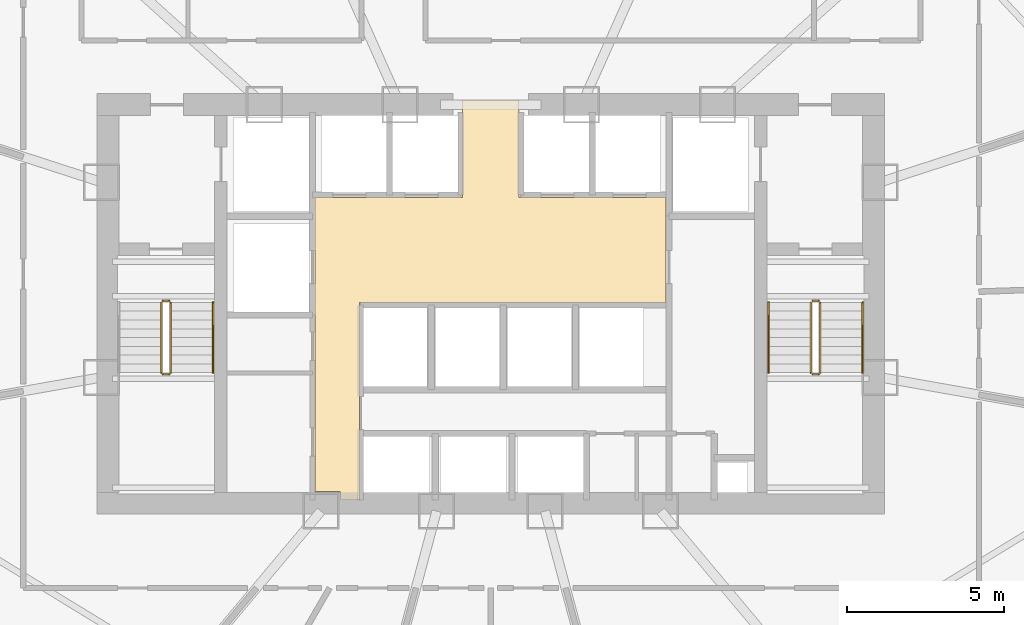
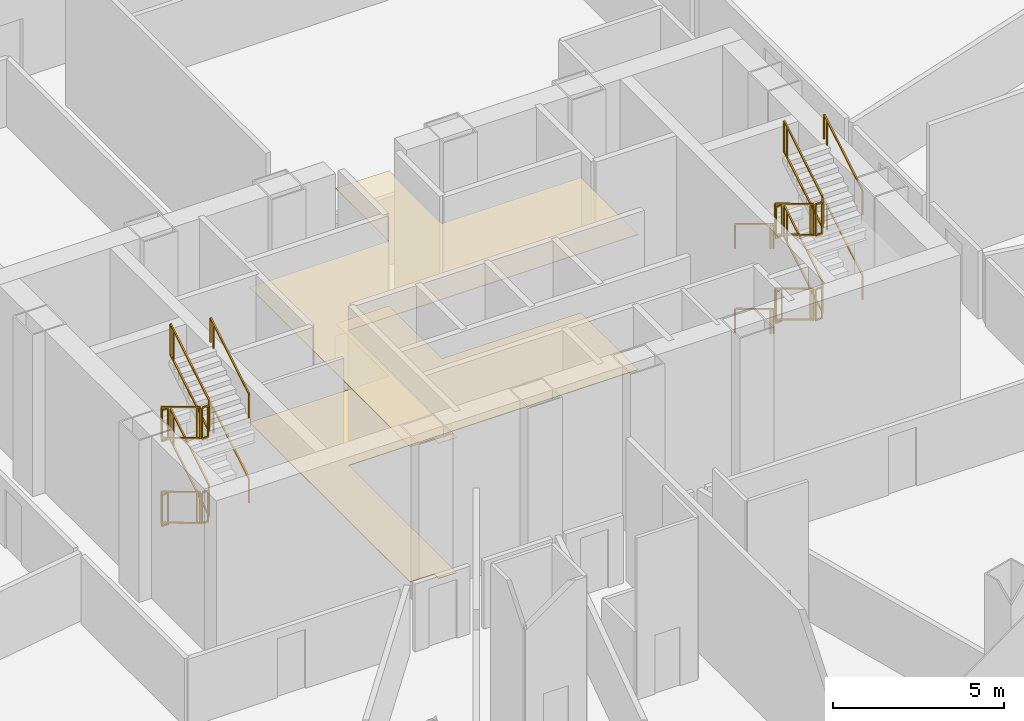
# One storey, part 39 of 41: 22 railings, 2 coverings.
"""IFC4 building model written with IfcOpenShell, lengths in metres."""

from ifc_helpers import new_model, si_unit, direction, frame, origin, origin_2d, place, context, subcontext, project, spatial, polyline, rectangle, outline, extrude, material, layer, layer_set, type_object, element, save


model = new_model("IFC4")

# Units and contexts
model_context = context("Model", 3, precision=1e-05, world=origin(), true_north=direction((0.0, 1.0)))
body_context = subcontext(model_context, "Body", "Model", "MODEL_VIEW")
ifc_project = project(units=[si_unit("LENGTHUNIT", "METRE"), si_unit("AREAUNIT", "SQUARE_METRE"), si_unit("VOLUMEUNIT", "CUBIC_METRE"), si_unit("PLANEANGLEUNIT", "RADIAN"), si_unit("MASSUNIT", "GRAM", prefix="KILO"), si_unit("THERMODYNAMICTEMPERATUREUNIT", "KELVIN"), si_unit("POWERUNIT", "WATT")], contexts=[model_context])

# Site, building, storey
site_placement = place(None, origin())
site = spatial("IfcSite", under=ifc_project, at=site_placement, CompositionType="ELEMENT")
building_placement = place(site_placement, origin())
building = spatial("IfcBuilding", under=site, at=building_placement, Name="Yunzhuo Pagoda Commons", CompositionType="ELEMENT")
storey_placement = place(building_placement, frame((0.0, 0.0, 70.330078125)))
storey = spatial("IfcBuildingStorey", under=building, at=storey_placement, Name="L18", CompositionType="ELEMENT", Elevation=70.330078125)

# Coverings
ifc_material_1 = material(Name="Mineral fibre acoustic ceiling board")
ifc_layer_1 = layer(ifc_material_1, 0.02490234375)
ifc_layer_set_1 = layer_set([ifc_layer_1], Name="Mineral fibre acoustic ceiling board")
covering_type_1 = type_object("IfcCoveringType", Name="COV-CL1 Ceiling 25", PredefinedType="CEILING", material=ifc_layer_set_1)
covering_1_placement = place(storey_placement, frame((0.0, 0.0, 4.81982421875)))
element("IfcCovering", 1, at=covering_1_placement, inside=storey, type_object=covering_type_1, Name="L18 lift lobby acoustic ceiling", PredefinedType="CEILING", context=body_context, shape_type="SweptSolid", body=[
    extrude(outline(polyline([(43.207763671875, 27.85009765625), (43.201904296875, 27.864013671875), (43.187744140625, 27.8701171875), (42.39990234375, 27.8701171875), (42.39990234375, 33.89990234375), (42.39990234375, 37.25), (47.10009765625, 37.25), (47.10009765625, 40.35009765625), (48.89990234375, 40.35009765625), (48.89990234375, 37.25), (53.580078125, 37.25), (53.580078125, 33.89990234375), (43.820068359375, 33.89990234375), (43.820068359375, 27.60009765625), (43.207763671875, 27.60009765625), (43.207763671875, 27.85009765625)])), origin(), (0.0, 0.0, 1.0), 0.025146484375),
])
ifc_material_2 = material(Name="Porcelain ceramic floor tile")
ifc_layer_2 = layer(ifc_material_2, 0.02001953125)
ifc_layer_set_2 = layer_set([ifc_layer_2], Name="Porcelain ceramic floor tile")
covering_type_2 = type_object("IfcCoveringType", Name="COV-FL1 Flooring 20", PredefinedType="FLOORING", material=ifc_layer_set_2)
covering_2_placement = place(storey_placement, origin())
element("IfcCovering", 2, at=covering_2_placement, inside=storey, type_object=covering_type_2, Name="L18 lift lobby flooring", PredefinedType="FLOORING", context=body_context, shape_type="SweptSolid", body=[
    extrude(outline(polyline([(43.207763671875, 27.85009765625), (43.201904296875, 27.864013671875), (43.187744140625, 27.8701171875), (42.39990234375, 27.8701171875), (42.39990234375, 33.89990234375), (42.39990234375, 37.25), (47.10009765625, 37.25), (47.10009765625, 40.35009765625), (48.89990234375, 40.35009765625), (48.89990234375, 37.25), (53.580078125, 37.25), (53.580078125, 33.89990234375), (43.820068359375, 33.89990234375), (43.820068359375, 27.60009765625), (43.207763671875, 27.60009765625), (43.207763671875, 27.85009765625)])), origin(), (0.0, 0.0, 1.0), 0.02001953125),
])

# Railings
ifc_material_3 = material(Name="Anodized aluminium 6063-T6", Category="aluminium")
railing_type_1 = type_object("IfcRailingType", Name="GR-ST1 Stair Well Guardrail 1150", PredefinedType="GUARDRAIL", material=ifc_material_3)
railing_1_placement = place(storey_placement, frame((37.5, 33.89990234375, 0.16796875)))
element("IfcRailing", 3, at=railing_1_placement, inside=storey, type_object=railing_type_1, Name="L18 ST1 stair guard 1", PredefinedType="GUARDRAIL", context=body_context, shape_type="SweptSolid", body=[
    extrude(rectangle(XDim=0.048095703125, YDim=0.048095703125, at=origin_2d()), frame((0.0, 0.0, 1.1259765625), z_axis=(0.0, -0.857410458173, 0.514633176366), x_axis=(1.0, 0.0, 0.0)), (0.0, 0.0, 1.0), 2.612548828125),
    extrude(rectangle(XDim=0.048095703125, YDim=0.048095703125, at=origin_2d()), frame((0.0, 0.0, 0.02392578125), z_axis=(0.0, -0.857410458173, 0.514633176366), x_axis=(1.0, 0.0, 0.0)), (0.0, 0.0, 1.0), 2.612548828125),
    extrude(rectangle(XDim=0.0419921875, YDim=0.0419921875, at=origin_2d()), origin(), (0.0, 0.0, 1.0), 1.101806640625),
    extrude(rectangle(XDim=0.0419921875, YDim=0.0419921875, at=origin_2d()), frame((0.0, -2.057861328125, 1.235107421875)), (0.0, 0.0, 1.0), 1.101806640625),
    extrude(rectangle(XDim=0.0419921875, YDim=0.0419921875, at=origin_2d()), frame((0.0, -2.239990234375, 1.344482421875)), (0.0, 0.0, 1.0), 1.101806640625),
])
railing_2_placement = place(storey_placement, frame((37.550048828125, 31.610107421875, 1.512451171875)))
element("IfcRailing", 4, at=railing_2_placement, inside=storey, type_object=railing_type_1, Name="L18 ST1 stair guard 2", PredefinedType="GUARDRAIL", context=body_context, shape_type="SweptSolid", body=[
    extrude(rectangle(XDim=0.048095703125, YDim=0.048095703125, at=origin_2d()), frame((0.0, 0.0, 1.1259765625), z_axis=(1.0, 0.0, 0.0), x_axis=(0.0, 1.0, 0.0)), (0.0, 0.0, 1.0), 0.199951171875),
    extrude(rectangle(XDim=0.048095703125, YDim=0.048095703125, at=origin_2d()), frame((0.0, 0.0, 0.02392578125), z_axis=(1.0, 0.0, 0.0), x_axis=(0.0, 1.0, 0.0)), (0.0, 0.0, 1.0), 0.199951171875),
    extrude(rectangle(XDim=0.0419921875, YDim=0.0419921875, at=origin_2d()), origin(), (0.0, 0.0, 1.0), 1.101806640625),
    extrude(rectangle(XDim=0.0419921875, YDim=0.0419921875, at=origin_2d()), frame((0.199951171875, 0.0, 0.0)), (0.0, 0.0, 1.0), 1.101806640625),
])
railing_3_placement = place(storey_placement, frame((37.800048828125, 31.659912109375, 1.680419921875)))
element("IfcRailing", 5, at=railing_3_placement, inside=storey, type_object=railing_type_1, Name="L18 ST1 stair guard 3", PredefinedType="GUARDRAIL", context=body_context, shape_type="SweptSolid", body=[
    extrude(rectangle(XDim=0.048095703125, YDim=0.048095703125, at=origin_2d()), frame((0.0, 0.0, 1.1259765625), z_axis=(0.0, 0.857410458173, 0.514633176366), x_axis=(-1.0, 0.0, 0.0)), (0.0, 0.0, 1.0), 2.612548828125),
    extrude(rectangle(XDim=0.048095703125, YDim=0.048095703125, at=origin_2d()), frame((0.0, 0.0, 0.02392578125), z_axis=(0.0, 0.857410458173, 0.514633176366), x_axis=(-1.0, 0.0, 0.0)), (0.0, 0.0, 1.0), 2.612548828125),
    extrude(rectangle(XDim=0.0419921875, YDim=0.0419921875, at=origin_2d()), origin(), (0.0, 0.0, 1.0), 1.101806640625),
    extrude(rectangle(XDim=0.0419921875, YDim=0.0419921875, at=origin_2d()), frame((0.0, 2.057861328125, 1.235107421875)), (0.0, 0.0, 1.0), 1.101806640625),
    extrude(rectangle(XDim=0.0419921875, YDim=0.0419921875, at=origin_2d()), frame((0.0, 2.239990234375, 1.344482421875)), (0.0, 0.0, 1.0), 1.101806640625),
])
railing_4_placement = place(storey_placement, frame((37.550048828125, 33.949951171875, 3.02490234375)))
element("IfcRailing", 6, at=railing_4_placement, inside=storey, type_object=railing_type_1, Name="L18 ST1 stair guard 4", PredefinedType="GUARDRAIL", context=body_context, shape_type="SweptSolid", body=[
    extrude(rectangle(XDim=0.048095703125, YDim=0.048095703125, at=origin_2d()), frame((0.0, 0.0, 1.1259765625), z_axis=(1.0, 0.0, 0.0), x_axis=(0.0, 1.0, 0.0)), (0.0, 0.0, 1.0), 0.199951171875),
    extrude(rectangle(XDim=0.048095703125, YDim=0.048095703125, at=origin_2d()), frame((0.0, 0.0, 0.02392578125), z_axis=(1.0, 0.0, 0.0), x_axis=(0.0, 1.0, 0.0)), (0.0, 0.0, 1.0), 0.199951171875),
    extrude(rectangle(XDim=0.0419921875, YDim=0.0419921875, at=origin_2d()), origin(), (0.0, 0.0, 1.0), 1.101806640625),
    extrude(rectangle(XDim=0.0419921875, YDim=0.0419921875, at=origin_2d()), frame((0.199951171875, 0.0, 0.0)), (0.0, 0.0, 1.0), 1.101806640625),
])
railing_5_placement = place(storey_placement, frame((37.5, 33.89990234375, 3.19287109375)))
element("IfcRailing", 7, at=railing_5_placement, inside=storey, type_object=railing_type_1, Name="L18 ST1 stair guard 5", PredefinedType="GUARDRAIL", context=body_context, shape_type="SweptSolid", body=[
    extrude(rectangle(XDim=0.048095703125, YDim=0.048095703125, at=origin_2d()), frame((0.0, 0.0, 1.1259765625), z_axis=(0.0, -0.857410458173, 0.514633176366), x_axis=(1.0, 0.0, 0.0)), (0.0, 0.0, 1.0), 2.612548828125),
    extrude(rectangle(XDim=0.048095703125, YDim=0.048095703125, at=origin_2d()), frame((0.0, 0.0, 0.02392578125), z_axis=(0.0, -0.857410458173, 0.514633176366), x_axis=(1.0, 0.0, 0.0)), (0.0, 0.0, 1.0), 2.612548828125),
    extrude(rectangle(XDim=0.0419921875, YDim=0.0419921875, at=origin_2d()), origin(), (0.0, 0.0, 1.0), 1.101806640625),
    extrude(rectangle(XDim=0.0419921875, YDim=0.0419921875, at=origin_2d()), frame((0.0, -2.057861328125, 1.235107421875)), (0.0, 0.0, 1.0), 1.101806640625),
    extrude(rectangle(XDim=0.0419921875, YDim=0.0419921875, at=origin_2d()), frame((0.0, -2.239990234375, 1.344482421875)), (0.0, 0.0, 1.0), 1.101806640625),
])
railing_6_placement = place(storey_placement, frame((37.550048828125, 31.610107421875, 4.537353515625)))
element("IfcRailing", 8, at=railing_6_placement, inside=storey, type_object=railing_type_1, Name="L18 ST1 stair guard 6", PredefinedType="GUARDRAIL", context=body_context, shape_type="SweptSolid", body=[
    extrude(rectangle(XDim=0.048095703125, YDim=0.048095703125, at=origin_2d()), frame((0.0, 0.0, 1.1259765625), z_axis=(1.0, 0.0, 0.0), x_axis=(0.0, 1.0, 0.0)), (0.0, 0.0, 1.0), 0.199951171875),
    extrude(rectangle(XDim=0.048095703125, YDim=0.048095703125, at=origin_2d()), frame((0.0, 0.0, 0.02392578125), z_axis=(1.0, 0.0, 0.0), x_axis=(0.0, 1.0, 0.0)), (0.0, 0.0, 1.0), 0.199951171875),
    extrude(rectangle(XDim=0.0419921875, YDim=0.0419921875, at=origin_2d()), origin(), (0.0, 0.0, 1.0), 1.101806640625),
    extrude(rectangle(XDim=0.0419921875, YDim=0.0419921875, at=origin_2d()), frame((0.199951171875, 0.0, 0.0)), (0.0, 0.0, 1.0), 1.101806640625),
])
railing_7_placement = place(storey_placement, frame((37.800048828125, 31.659912109375, 4.70556640625)))
element("IfcRailing", 9, at=railing_7_placement, inside=storey, type_object=railing_type_1, Name="L18 ST1 stair guard 7", PredefinedType="GUARDRAIL", context=body_context, shape_type="SweptSolid", body=[
    extrude(rectangle(XDim=0.048095703125, YDim=0.048095703125, at=origin_2d()), frame((0.0, 0.0, 1.1259765625), z_axis=(0.0, 0.857451692713, 0.514564470853), x_axis=(-1.0, 0.0, 0.0)), (0.0, 0.0, 1.0), 2.6123046875),
    extrude(rectangle(XDim=0.048095703125, YDim=0.048095703125, at=origin_2d()), frame((0.0, 0.0, 0.02392578125), z_axis=(0.0, 0.857451692713, 0.514564470853), x_axis=(-1.0, 0.0, 0.0)), (0.0, 0.0, 1.0), 2.6123046875),
    extrude(rectangle(XDim=0.0419921875, YDim=0.0419921875, at=origin_2d()), origin(), (0.0, 0.0, 1.0), 1.101806640625),
    extrude(rectangle(XDim=0.0419921875, YDim=0.0419921875, at=origin_2d()), frame((0.0, 2.057861328125, 1.23486328125)), (0.0, 0.0, 1.0), 1.101806640625),
    extrude(rectangle(XDim=0.0419921875, YDim=0.0419921875, at=origin_2d()), frame((0.0, 2.239990234375, 1.34423828125)), (0.0, 0.0, 1.0), 1.101806640625),
])
railing_8_placement = place(storey_placement, frame((37.550048828125, 33.949951171875, 0.0)))
element("IfcRailing", 10, at=railing_8_placement, inside=storey, type_object=railing_type_1, Name="L18 ST1 stair guard 8", PredefinedType="GUARDRAIL", context=body_context, shape_type="SweptSolid", body=[
    extrude(rectangle(XDim=0.048095703125, YDim=0.048095703125, at=origin_2d()), frame((0.0, 0.0, 1.1259765625), z_axis=(1.0, 0.0, 0.0), x_axis=(0.0, 1.0, 0.0)), (0.0, 0.0, 1.0), 0.199951171875),
    extrude(rectangle(XDim=0.048095703125, YDim=0.048095703125, at=origin_2d()), frame((0.0, 0.0, 0.02392578125), z_axis=(1.0, 0.0, 0.0), x_axis=(0.0, 1.0, 0.0)), (0.0, 0.0, 1.0), 0.199951171875),
    extrude(rectangle(XDim=0.0419921875, YDim=0.0419921875, at=origin_2d()), origin(), (0.0, 0.0, 1.0), 1.101806640625),
    extrude(rectangle(XDim=0.0419921875, YDim=0.0419921875, at=origin_2d()), frame((0.199951171875, 0.0, 0.0)), (0.0, 0.0, 1.0), 1.101806640625),
])
railing_type_2 = type_object("IfcRailingType", Name="GR-ST2 Stair Well Guardrail 1160", PredefinedType="GUARDRAIL", material=ifc_material_3)
railing_9_placement = place(storey_placement, frame((58.199951171875, 33.89990234375, 0.16796875)))
element("IfcRailing", 11, at=railing_9_placement, inside=storey, type_object=railing_type_2, Name="L18 ST2 stair guard 1", PredefinedType="GUARDRAIL", context=body_context, shape_type="SweptSolid", body=[
    extrude(rectangle(XDim=0.048095703125, YDim=0.048095703125, at=origin_2d()), frame((0.0, 0.0, 1.1259765625), z_axis=(0.0, -0.857410458173, 0.514633176366), x_axis=(1.0, 0.0, 0.0)), (0.0, 0.0, 1.0), 2.612548828125),
    extrude(rectangle(XDim=0.048095703125, YDim=0.048095703125, at=origin_2d()), frame((0.0, 0.0, 0.02392578125), z_axis=(0.0, -0.857410458173, 0.514633176366), x_axis=(1.0, 0.0, 0.0)), (0.0, 0.0, 1.0), 2.612548828125),
    extrude(rectangle(XDim=0.0419921875, YDim=0.0419921875, at=origin_2d()), origin(), (0.0, 0.0, 1.0), 1.101806640625),
    extrude(rectangle(XDim=0.0419921875, YDim=0.0419921875, at=origin_2d()), frame((0.0, -2.057861328125, 1.235107421875)), (0.0, 0.0, 1.0), 1.101806640625),
    extrude(rectangle(XDim=0.0419921875, YDim=0.0419921875, at=origin_2d()), frame((0.0, -2.239990234375, 1.344482421875)), (0.0, 0.0, 1.0), 1.101806640625),
])
railing_10_placement = place(storey_placement, frame((58.25, 31.610107421875, 1.512451171875)))
element("IfcRailing", 12, at=railing_10_placement, inside=storey, type_object=railing_type_2, Name="L18 ST2 stair guard 2", PredefinedType="GUARDRAIL", context=body_context, shape_type="SweptSolid", body=[
    extrude(rectangle(XDim=0.048095703125, YDim=0.048095703125, at=origin_2d()), frame((0.0, 0.0, 1.1259765625), z_axis=(1.0, 0.0, 0.0), x_axis=(0.0, 1.0, 0.0)), (0.0, 0.0, 1.0), 0.199951171875),
    extrude(rectangle(XDim=0.048095703125, YDim=0.048095703125, at=origin_2d()), frame((0.0, 0.0, 0.02392578125), z_axis=(1.0, 0.0, 0.0), x_axis=(0.0, 1.0, 0.0)), (0.0, 0.0, 1.0), 0.199951171875),
    extrude(rectangle(XDim=0.0419921875, YDim=0.0419921875, at=origin_2d()), origin(), (0.0, 0.0, 1.0), 1.101806640625),
    extrude(rectangle(XDim=0.0419921875, YDim=0.0419921875, at=origin_2d()), frame((0.199951171875, 0.0, 0.0)), (0.0, 0.0, 1.0), 1.101806640625),
])
railing_11_placement = place(storey_placement, frame((58.5, 31.659912109375, 1.680419921875)))
element("IfcRailing", 13, at=railing_11_placement, inside=storey, type_object=railing_type_2, Name="L18 ST2 stair guard 3", PredefinedType="GUARDRAIL", context=body_context, shape_type="SweptSolid", body=[
    extrude(rectangle(XDim=0.048095703125, YDim=0.048095703125, at=origin_2d()), frame((0.0, 0.0, 1.1259765625), z_axis=(0.0, 0.857410458173, 0.514633176366), x_axis=(-1.0, 0.0, 0.0)), (0.0, 0.0, 1.0), 2.612548828125),
    extrude(rectangle(XDim=0.048095703125, YDim=0.048095703125, at=origin_2d()), frame((0.0, 0.0, 0.02392578125), z_axis=(0.0, 0.857410458173, 0.514633176366), x_axis=(-1.0, 0.0, 0.0)), (0.0, 0.0, 1.0), 2.612548828125),
    extrude(rectangle(XDim=0.0419921875, YDim=0.0419921875, at=origin_2d()), origin(), (0.0, 0.0, 1.0), 1.101806640625),
    extrude(rectangle(XDim=0.0419921875, YDim=0.0419921875, at=origin_2d()), frame((0.0, 2.057861328125, 1.235107421875)), (0.0, 0.0, 1.0), 1.101806640625),
    extrude(rectangle(XDim=0.0419921875, YDim=0.0419921875, at=origin_2d()), frame((0.0, 2.239990234375, 1.344482421875)), (0.0, 0.0, 1.0), 1.101806640625),
])
railing_12_placement = place(storey_placement, frame((58.25, 33.949951171875, 3.02490234375)))
element("IfcRailing", 14, at=railing_12_placement, inside=storey, type_object=railing_type_2, Name="L18 ST2 stair guard 4", PredefinedType="GUARDRAIL", context=body_context, shape_type="SweptSolid", body=[
    extrude(rectangle(XDim=0.048095703125, YDim=0.048095703125, at=origin_2d()), frame((0.0, 0.0, 1.1259765625), z_axis=(1.0, 0.0, 0.0), x_axis=(0.0, 1.0, 0.0)), (0.0, 0.0, 1.0), 0.199951171875),
    extrude(rectangle(XDim=0.048095703125, YDim=0.048095703125, at=origin_2d()), frame((0.0, 0.0, 0.02392578125), z_axis=(1.0, 0.0, 0.0), x_axis=(0.0, 1.0, 0.0)), (0.0, 0.0, 1.0), 0.199951171875),
    extrude(rectangle(XDim=0.0419921875, YDim=0.0419921875, at=origin_2d()), origin(), (0.0, 0.0, 1.0), 1.101806640625),
    extrude(rectangle(XDim=0.0419921875, YDim=0.0419921875, at=origin_2d()), frame((0.199951171875, 0.0, 0.0)), (0.0, 0.0, 1.0), 1.101806640625),
])
railing_13_placement = place(storey_placement, frame((58.199951171875, 33.89990234375, 3.19287109375)))
element("IfcRailing", 15, at=railing_13_placement, inside=storey, type_object=railing_type_2, Name="L18 ST2 stair guard 5", PredefinedType="GUARDRAIL", context=body_context, shape_type="SweptSolid", body=[
    extrude(rectangle(XDim=0.048095703125, YDim=0.048095703125, at=origin_2d()), frame((0.0, 0.0, 1.1259765625), z_axis=(0.0, -0.857410458173, 0.514633176366), x_axis=(1.0, 0.0, 0.0)), (0.0, 0.0, 1.0), 2.612548828125),
    extrude(rectangle(XDim=0.048095703125, YDim=0.048095703125, at=origin_2d()), frame((0.0, 0.0, 0.02392578125), z_axis=(0.0, -0.857410458173, 0.514633176366), x_axis=(1.0, 0.0, 0.0)), (0.0, 0.0, 1.0), 2.612548828125),
    extrude(rectangle(XDim=0.0419921875, YDim=0.0419921875, at=origin_2d()), origin(), (0.0, 0.0, 1.0), 1.101806640625),
    extrude(rectangle(XDim=0.0419921875, YDim=0.0419921875, at=origin_2d()), frame((0.0, -2.057861328125, 1.235107421875)), (0.0, 0.0, 1.0), 1.101806640625),
    extrude(rectangle(XDim=0.0419921875, YDim=0.0419921875, at=origin_2d()), frame((0.0, -2.239990234375, 1.344482421875)), (0.0, 0.0, 1.0), 1.101806640625),
])
railing_14_placement = place(storey_placement, frame((58.25, 31.610107421875, 4.537353515625)))
element("IfcRailing", 16, at=railing_14_placement, inside=storey, type_object=railing_type_2, Name="L18 ST2 stair guard 6", PredefinedType="GUARDRAIL", context=body_context, shape_type="SweptSolid", body=[
    extrude(rectangle(XDim=0.048095703125, YDim=0.048095703125, at=origin_2d()), frame((0.0, 0.0, 1.1259765625), z_axis=(1.0, 0.0, 0.0), x_axis=(0.0, 1.0, 0.0)), (0.0, 0.0, 1.0), 0.199951171875),
    extrude(rectangle(XDim=0.048095703125, YDim=0.048095703125, at=origin_2d()), frame((0.0, 0.0, 0.02392578125), z_axis=(1.0, 0.0, 0.0), x_axis=(0.0, 1.0, 0.0)), (0.0, 0.0, 1.0), 0.199951171875),
    extrude(rectangle(XDim=0.0419921875, YDim=0.0419921875, at=origin_2d()), origin(), (0.0, 0.0, 1.0), 1.101806640625),
    extrude(rectangle(XDim=0.0419921875, YDim=0.0419921875, at=origin_2d()), frame((0.199951171875, 0.0, 0.0)), (0.0, 0.0, 1.0), 1.101806640625),
])
railing_15_placement = place(storey_placement, frame((58.5, 31.659912109375, 4.70556640625)))
element("IfcRailing", 17, at=railing_15_placement, inside=storey, type_object=railing_type_2, Name="L18 ST2 stair guard 7", PredefinedType="GUARDRAIL", context=body_context, shape_type="SweptSolid", body=[
    extrude(rectangle(XDim=0.048095703125, YDim=0.048095703125, at=origin_2d()), frame((0.0, 0.0, 1.1259765625), z_axis=(0.0, 0.857451692713, 0.514564470853), x_axis=(-1.0, 0.0, 0.0)), (0.0, 0.0, 1.0), 2.6123046875),
    extrude(rectangle(XDim=0.048095703125, YDim=0.048095703125, at=origin_2d()), frame((0.0, 0.0, 0.02392578125), z_axis=(0.0, 0.857451692713, 0.514564470853), x_axis=(-1.0, 0.0, 0.0)), (0.0, 0.0, 1.0), 2.6123046875),
    extrude(rectangle(XDim=0.0419921875, YDim=0.0419921875, at=origin_2d()), origin(), (0.0, 0.0, 1.0), 1.101806640625),
    extrude(rectangle(XDim=0.0419921875, YDim=0.0419921875, at=origin_2d()), frame((0.0, 2.057861328125, 1.23486328125)), (0.0, 0.0, 1.0), 1.101806640625),
    extrude(rectangle(XDim=0.0419921875, YDim=0.0419921875, at=origin_2d()), frame((0.0, 2.239990234375, 1.34423828125)), (0.0, 0.0, 1.0), 1.101806640625),
])
railing_16_placement = place(storey_placement, frame((58.25, 33.949951171875, 0.0)))
element("IfcRailing", 18, at=railing_16_placement, inside=storey, type_object=railing_type_2, Name="L18 ST2 stair guard 8", PredefinedType="GUARDRAIL", context=body_context, shape_type="SweptSolid", body=[
    extrude(rectangle(XDim=0.048095703125, YDim=0.048095703125, at=origin_2d()), frame((0.0, 0.0, 1.1259765625), z_axis=(1.0, 0.0, 0.0), x_axis=(0.0, 1.0, 0.0)), (0.0, 0.0, 1.0), 0.199951171875),
    extrude(rectangle(XDim=0.048095703125, YDim=0.048095703125, at=origin_2d()), frame((0.0, 0.0, 0.02392578125), z_axis=(1.0, 0.0, 0.0), x_axis=(0.0, 1.0, 0.0)), (0.0, 0.0, 1.0), 0.199951171875),
    extrude(rectangle(XDim=0.0419921875, YDim=0.0419921875, at=origin_2d()), origin(), (0.0, 0.0, 1.0), 1.101806640625),
    extrude(rectangle(XDim=0.0419921875, YDim=0.0419921875, at=origin_2d()), frame((0.199951171875, 0.0, 0.0)), (0.0, 0.0, 1.0), 1.101806640625),
])
railing_type_3 = type_object("IfcRailingType", Name="HR-ST1 Stair Handrail 900", PredefinedType="HANDRAIL", material=ifc_material_3)
railing_17_placement = place(storey_placement, frame((39.14990234375, 31.659912109375, 1.680419921875)))
element("IfcRailing", 19, at=railing_17_placement, inside=storey, type_object=railing_type_3, Name="L18 ST1 stair handrail 2", PredefinedType="HANDRAIL", context=body_context, shape_type="SweptSolid", body=[
    extrude(rectangle(XDim=0.048095703125, YDim=0.048095703125, at=origin_2d()), frame((0.0, 0.0, 0.8759765625), z_axis=(0.0, 0.857410458173, 0.514633176366), x_axis=(-1.0, 0.0, 0.0)), (0.0, 0.0, 1.0), 2.612548828125),
    extrude(rectangle(XDim=0.0419921875, YDim=0.0419921875, at=origin_2d()), origin(), (0.0, 0.0, 1.0), 0.851806640625),
    extrude(rectangle(XDim=0.0419921875, YDim=0.0419921875, at=origin_2d()), frame((0.0, 2.057861328125, 1.235107421875)), (0.0, 0.0, 1.0), 0.851806640625),
    extrude(rectangle(XDim=0.0419921875, YDim=0.0419921875, at=origin_2d()), frame((0.0, 2.239990234375, 1.344482421875)), (0.0, 0.0, 1.0), 0.851806640625),
])
railing_18_placement = place(storey_placement, frame((39.14990234375, 31.659912109375, 4.70556640625)))
element("IfcRailing", 20, at=railing_18_placement, inside=storey, type_object=railing_type_3, Name="L18 ST1 stair handrail 4", PredefinedType="HANDRAIL", context=body_context, shape_type="SweptSolid", body=[
    extrude(rectangle(XDim=0.048095703125, YDim=0.048095703125, at=origin_2d()), frame((0.0, 0.0, 0.8759765625), z_axis=(0.0, 0.857451692713, 0.514564470853), x_axis=(-1.0, 0.0, 0.0)), (0.0, 0.0, 1.0), 2.6123046875),
    extrude(rectangle(XDim=0.0419921875, YDim=0.0419921875, at=origin_2d()), origin(), (0.0, 0.0, 1.0), 0.851806640625),
    extrude(rectangle(XDim=0.0419921875, YDim=0.0419921875, at=origin_2d()), frame((0.0, 2.057861328125, 1.23486328125)), (0.0, 0.0, 1.0), 0.851806640625),
    extrude(rectangle(XDim=0.0419921875, YDim=0.0419921875, at=origin_2d()), frame((0.0, 2.239990234375, 1.34423828125)), (0.0, 0.0, 1.0), 0.851806640625),
])
railing_type_4 = type_object("IfcRailingType", Name="HR-ST2 Stair Handrail 900", PredefinedType="HANDRAIL", material=ifc_material_3)
railing_19_placement = place(storey_placement, frame((56.85009765625, 33.89990234375, 0.16796875)))
element("IfcRailing", 21, at=railing_19_placement, inside=storey, type_object=railing_type_4, Name="L18 ST2 stair handrail 1", PredefinedType="HANDRAIL", context=body_context, shape_type="SweptSolid", body=[
    extrude(rectangle(XDim=0.048095703125, YDim=0.048095703125, at=origin_2d()), frame((0.0, 0.0, 0.8759765625), z_axis=(0.0, -0.857410458173, 0.514633176366), x_axis=(1.0, 0.0, 0.0)), (0.0, 0.0, 1.0), 2.612548828125),
    extrude(rectangle(XDim=0.0419921875, YDim=0.0419921875, at=origin_2d()), origin(), (0.0, 0.0, 1.0), 0.851806640625),
    extrude(rectangle(XDim=0.0419921875, YDim=0.0419921875, at=origin_2d()), frame((0.0, -2.057861328125, 1.235107421875)), (0.0, 0.0, 1.0), 0.851806640625),
    extrude(rectangle(XDim=0.0419921875, YDim=0.0419921875, at=origin_2d()), frame((0.0, -2.239990234375, 1.344482421875)), (0.0, 0.0, 1.0), 0.851806640625),
])
railing_20_placement = place(storey_placement, frame((59.85009765625, 31.659912109375, 1.680419921875)))
element("IfcRailing", 22, at=railing_20_placement, inside=storey, type_object=railing_type_4, Name="L18 ST2 stair handrail 2", PredefinedType="HANDRAIL", context=body_context, shape_type="SweptSolid", body=[
    extrude(rectangle(XDim=0.048095703125, YDim=0.048095703125, at=origin_2d()), frame((0.0, 0.0, 0.8759765625), z_axis=(0.0, 0.857410458173, 0.514633176366), x_axis=(-1.0, 0.0, 0.0)), (0.0, 0.0, 1.0), 2.612548828125),
    extrude(rectangle(XDim=0.0419921875, YDim=0.0419921875, at=origin_2d()), origin(), (0.0, 0.0, 1.0), 0.851806640625),
    extrude(rectangle(XDim=0.0419921875, YDim=0.0419921875, at=origin_2d()), frame((0.0, 2.057861328125, 1.235107421875)), (0.0, 0.0, 1.0), 0.851806640625),
    extrude(rectangle(XDim=0.0419921875, YDim=0.0419921875, at=origin_2d()), frame((0.0, 2.239990234375, 1.344482421875)), (0.0, 0.0, 1.0), 0.851806640625),
])
railing_21_placement = place(storey_placement, frame((56.85009765625, 33.89990234375, 3.19287109375)))
element("IfcRailing", 23, at=railing_21_placement, inside=storey, type_object=railing_type_4, Name="L18 ST2 stair handrail 3", PredefinedType="HANDRAIL", context=body_context, shape_type="SweptSolid", body=[
    extrude(rectangle(XDim=0.048095703125, YDim=0.048095703125, at=origin_2d()), frame((0.0, 0.0, 0.8759765625), z_axis=(0.0, -0.857410458173, 0.514633176366), x_axis=(1.0, 0.0, 0.0)), (0.0, 0.0, 1.0), 2.612548828125),
    extrude(rectangle(XDim=0.0419921875, YDim=0.0419921875, at=origin_2d()), origin(), (0.0, 0.0, 1.0), 0.851806640625),
    extrude(rectangle(XDim=0.0419921875, YDim=0.0419921875, at=origin_2d()), frame((0.0, -2.057861328125, 1.235107421875)), (0.0, 0.0, 1.0), 0.851806640625),
    extrude(rectangle(XDim=0.0419921875, YDim=0.0419921875, at=origin_2d()), frame((0.0, -2.239990234375, 1.344482421875)), (0.0, 0.0, 1.0), 0.851806640625),
])
railing_22_placement = place(storey_placement, frame((59.85009765625, 31.659912109375, 4.70556640625)))
element("IfcRailing", 24, at=railing_22_placement, inside=storey, type_object=railing_type_4, Name="L18 ST2 stair handrail 4", PredefinedType="HANDRAIL", context=body_context, shape_type="SweptSolid", body=[
    extrude(rectangle(XDim=0.048095703125, YDim=0.048095703125, at=origin_2d()), frame((0.0, 0.0, 0.8759765625), z_axis=(0.0, 0.857451692713, 0.514564470853), x_axis=(-1.0, 0.0, 0.0)), (0.0, 0.0, 1.0), 2.6123046875),
    extrude(rectangle(XDim=0.0419921875, YDim=0.0419921875, at=origin_2d()), origin(), (0.0, 0.0, 1.0), 0.851806640625),
    extrude(rectangle(XDim=0.0419921875, YDim=0.0419921875, at=origin_2d()), frame((0.0, 2.057861328125, 1.23486328125)), (0.0, 0.0, 1.0), 0.851806640625),
    extrude(rectangle(XDim=0.0419921875, YDim=0.0419921875, at=origin_2d()), frame((0.0, 2.239990234375, 1.34423828125)), (0.0, 0.0, 1.0), 0.851806640625),
])

save(model, "model.ifc")
